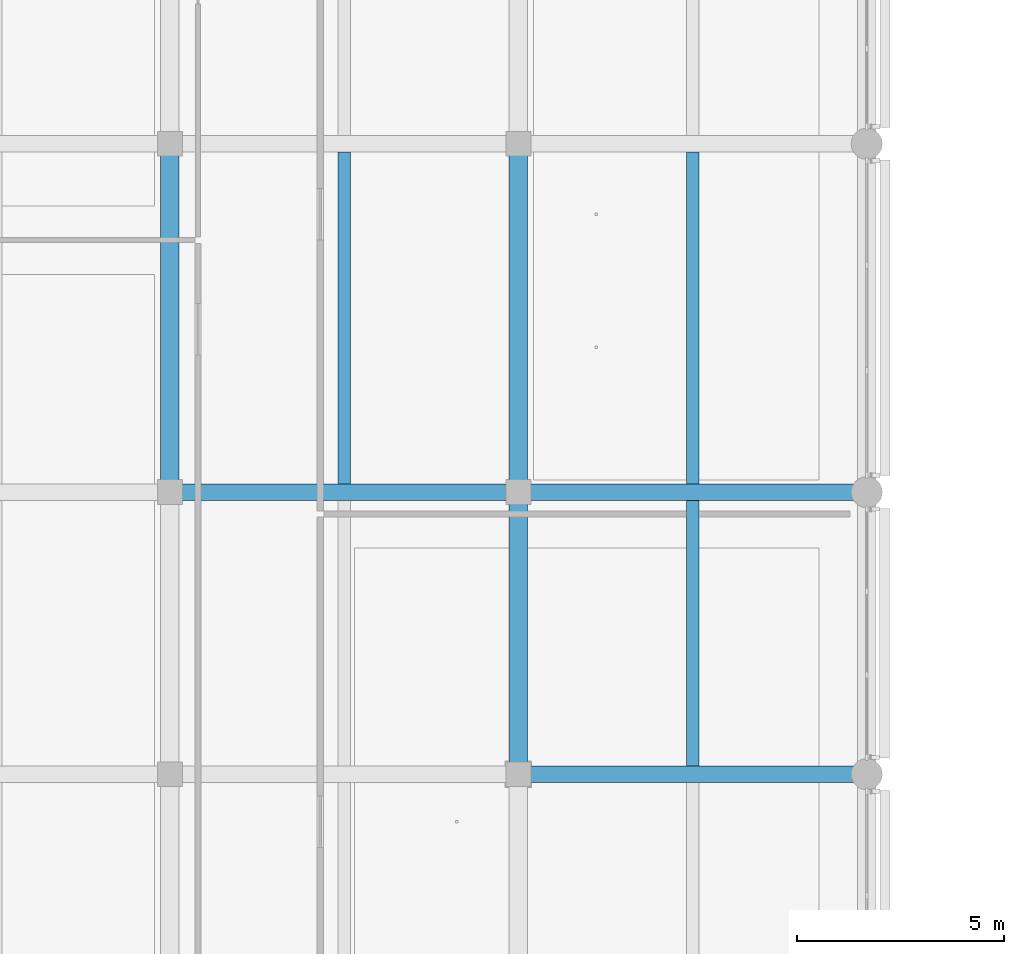
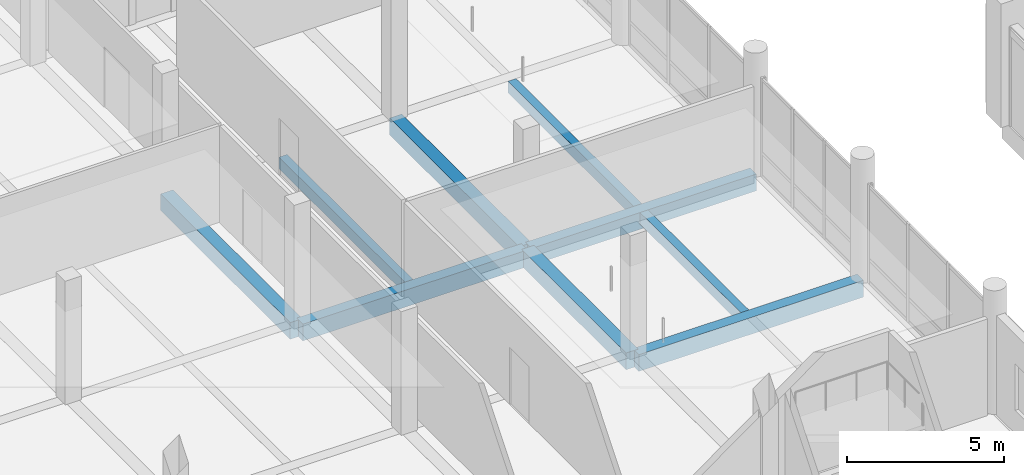
# One storey, part 11 of 122: 9 beams.
"""IFC4 building model written with IfcOpenShell, lengths in metres."""

from ifc_helpers import new_model, si_unit, direction, frame, origin, origin_2d, place, context, subcontext, project, spatial, rectangle, extrude, material, material_profile, profile_set, type_object, element, save


model = new_model("IFC4")

# Units and contexts
model_context = context("Model", 3, precision=1e-05, world=origin(), true_north=direction((0.0, 1.0)))
body_context = subcontext(model_context, "Body", "Model", "MODEL_VIEW")
ifc_project = project(units=[si_unit("LENGTHUNIT", "METRE"), si_unit("AREAUNIT", "SQUARE_METRE"), si_unit("VOLUMEUNIT", "CUBIC_METRE"), si_unit("PLANEANGLEUNIT", "RADIAN"), si_unit("MASSUNIT", "GRAM", prefix="KILO")], contexts=[model_context])

# Site, building, storey
site_placement = place(None, origin())
site = spatial("IfcSite", under=ifc_project, at=site_placement, CompositionType="ELEMENT")
building_placement = place(site_placement, origin())
building = spatial("IfcBuilding", under=site, at=building_placement, Name="Telukmera Botanical Conservatory", CompositionType="ELEMENT")
storey_placement = place(building_placement, frame((0.0, 0.0, 10.199951171875)))
storey = spatial("IfcBuildingStorey", under=building, at=storey_placement, Name="L02", CompositionType="ELEMENT", Elevation=10.199951171875)

# Beams
ifc_material = material(Name="Concrete C40/50", Category="concrete")
ifc_material_profile_1 = material_profile(ifc_material, rectangle(XDim=0.449951171875, YDim=0.64990234375, at=origin_2d()), Name="RC 450x650")
ifc_profile_set_1 = profile_set([ifc_material_profile_1], Name="Concrete C40/50")
beam_type_1 = type_object("IfcBeamType", Name="Beam_B16", PredefinedType="BEAM", material=ifc_profile_set_1)
beam_1_placement = place(storey_placement, frame((25.199951171875, 49.679931640625, -0.324951171875), z_axis=(0.0, 1.0, 0.0), x_axis=(-1.0, 0.0, 0.0)))
element("IfcBeam", 1, at=beam_1_placement, inside=storey, type_object=beam_type_1, Name="Visitor Wing Transverse Beam L02", PredefinedType="BEAM", context=body_context, shape_type="SweptSolid", body=[
    extrude(rectangle(XDim=0.449951171875, YDim=0.64990234375, at=origin_2d()), origin(), (0.0, 0.0, 1.0), 8.239990234375),
])
beam_2_placement = place(storey_placement, frame((33.60009765625, 42.8798828125, -0.324951171875), z_axis=(0.0, 1.0, 0.0), x_axis=(-1.0, 0.0, 0.0)))
element("IfcBeam", 2, at=beam_2_placement, inside=storey, type_object=beam_type_1, Name="Visitor Wing Transverse Beam L02", PredefinedType="BEAM", context=body_context, shape_type="SweptSolid", body=[
    extrude(rectangle(XDim=0.449951171875, YDim=0.64990234375, at=origin_2d()), origin(), (0.0, 0.0, 1.0), 6.64013671875),
])
beam_3_placement = place(storey_placement, frame((33.60009765625, 49.679931640625, -0.324951171875), z_axis=(0.0, 1.0, 0.0), x_axis=(-1.0, 0.0, 0.0)))
element("IfcBeam", 3, at=beam_3_placement, inside=storey, type_object=beam_type_1, Name="Visitor Wing Transverse Beam L02", PredefinedType="BEAM", context=body_context, shape_type="SweptSolid", body=[
    extrude(rectangle(XDim=0.449951171875, YDim=0.64990234375, at=origin_2d()), origin(), (0.0, 0.0, 1.0), 8.239990234375),
])
ifc_material_profile_2 = material_profile(ifc_material, rectangle(XDim=0.300048828125, YDim=0.449951171875, at=origin_2d()), Name="RC 300x450")
ifc_profile_set_2 = profile_set([ifc_material_profile_2], Name="Concrete C40/50")
beam_type_2 = type_object("IfcBeamType", Name="Beam_B25", PredefinedType="JOIST", material=ifc_profile_set_2)
beam_4_placement = place(storey_placement, frame((29.39990234375, 49.800048828125, -0.224853515625), z_axis=(0.0, 1.0, 0.0), x_axis=(-1.0, 0.0, 0.0)))
element("IfcBeam", 4, at=beam_4_placement, inside=storey, type_object=beam_type_2, Name="Visitor Wing Floor Joist L02", PredefinedType="JOIST", context=body_context, shape_type="SweptSolid", body=[
    extrude(rectangle(XDim=0.300048828125, YDim=0.449951171875, at=origin_2d()), origin(), (0.0, 0.0, 1.0), 8.0),
])
beam_5_placement = place(storey_placement, frame((37.800048828125, 43.0, -0.224853515625), z_axis=(0.0, 1.0, 0.0), x_axis=(-1.0, 0.0, 0.0)))
element("IfcBeam", 5, at=beam_5_placement, inside=storey, type_object=beam_type_2, Name="Visitor Wing Floor Joist L02", PredefinedType="JOIST", context=body_context, shape_type="SweptSolid", body=[
    extrude(rectangle(XDim=0.300048828125, YDim=0.449951171875, at=origin_2d()), origin(), (0.0, 0.0, 1.0), 6.39990234375),
])
beam_6_placement = place(storey_placement, frame((37.800048828125, 49.800048828125, -0.224853515625), z_axis=(0.0, 1.0, 0.0), x_axis=(-1.0, 0.0, 0.0)))
element("IfcBeam", 6, at=beam_6_placement, inside=storey, type_object=beam_type_2, Name="Visitor Wing Floor Joist L02", PredefinedType="JOIST", context=body_context, shape_type="SweptSolid", body=[
    extrude(rectangle(XDim=0.300048828125, YDim=0.449951171875, at=origin_2d()), origin(), (0.0, 0.0, 1.0), 8.0),
])
ifc_material_profile_3 = material_profile(ifc_material, rectangle(XDim=0.39990234375, YDim=0.64990234375, at=origin_2d()), Name="RC 400x650")
ifc_profile_set_3 = profile_set([ifc_material_profile_3], Name="Concrete C40/50")
beam_type_3 = type_object("IfcBeamType", Name="Beam_B8", PredefinedType="BEAM", material=ifc_profile_set_3)
for number, where, z_axis, x_axis, name in (
    (7, (33.679931640625, 42.800048828125, -0.324951171875), (1.0, 0.0, 0.0), (0.0, 1.0, 0.0), "Visitor Wing Grid Beam L02"),
    (8, (25.280029296875, 49.60009765625, -0.324951171875), (1.0, 0.0, 0.0), (0.0, 1.0, 0.0), "Visitor Wing Grid Beam L02"),
    (9, (33.679931640625, 49.60009765625, -0.324951171875), (1.0, 0.0, 0.0), (0.0, 1.0, 0.0), "Visitor Wing Grid Beam L02"),
):
    element("IfcBeam", number, at=place(storey_placement, frame(where, z_axis=z_axis, x_axis=x_axis)), inside=storey, type_object=beam_type_3, Name=name, PredefinedType="BEAM", context=body_context, shape_type="SweptSolid", body=[
        extrude(rectangle(XDim=0.39990234375, YDim=0.64990234375, at=origin_2d()), origin(), (0.0, 0.0, 1.0), 8.239990234375),
    ])

save(model, "model.ifc")
